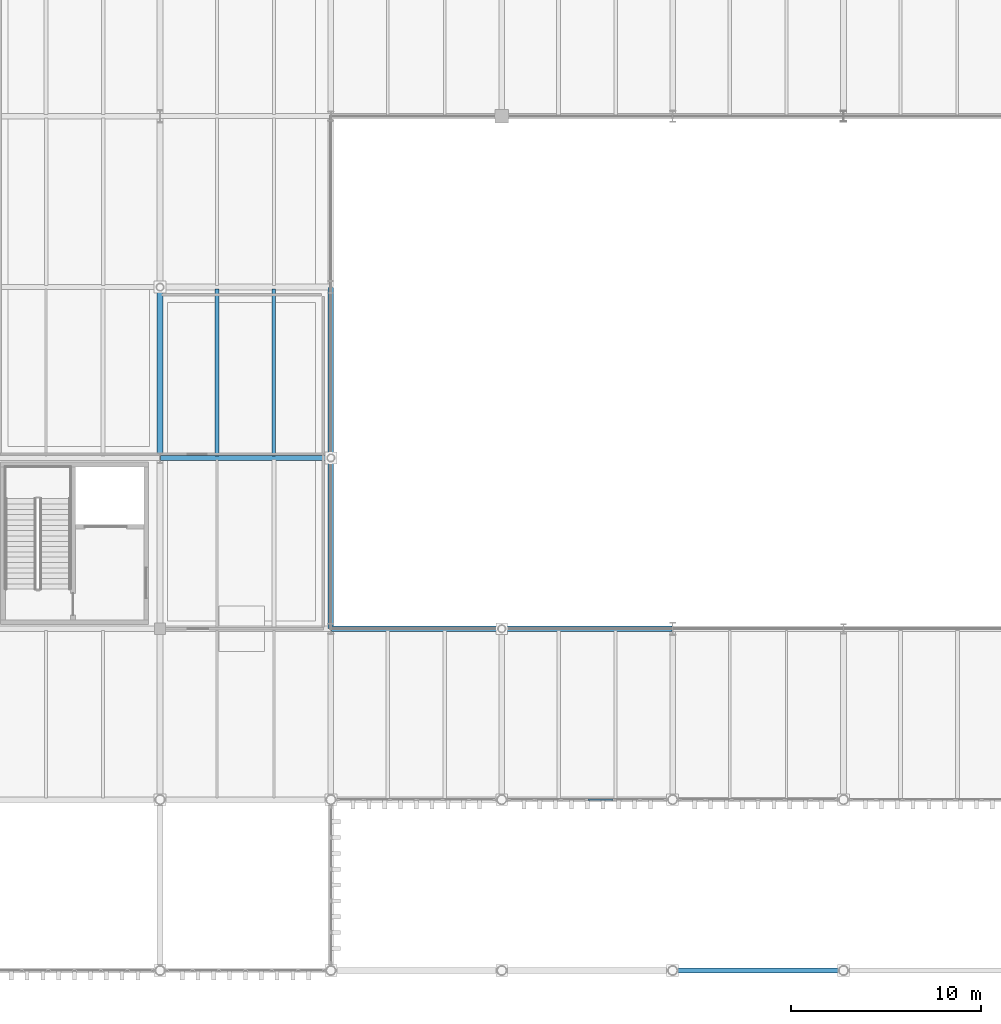
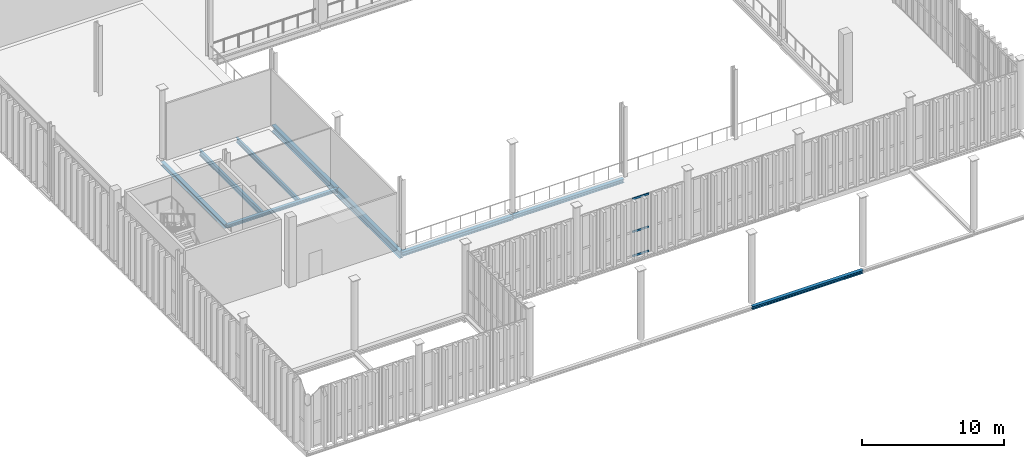
# One storey, part 37 of 211: 9 beams, 3 members, 1 element without a shape of its own.
"""IFC4 building model written with IfcOpenShell, lengths in metres."""

from ifc_helpers import new_model, si_unit, direction, frame, origin, origin_2d, place, context, subcontext, project, spatial, hollow_rectangle, i_section, extrude, material, layer, layer_set, material_profile, profile_set, type_object, element, aggregate, save


model = new_model("IFC4")

# Units and contexts
model_context = context("Model", 3, precision=1e-05, world=origin(), true_north=direction((0.0, 1.0)))
body_context = subcontext(model_context, "Body", "Model", "MODEL_VIEW")
ifc_project = project(units=[si_unit("LENGTHUNIT", "METRE"), si_unit("AREAUNIT", "SQUARE_METRE"), si_unit("VOLUMEUNIT", "CUBIC_METRE"), si_unit("PLANEANGLEUNIT", "RADIAN"), si_unit("MASSUNIT", "GRAM", prefix="KILO")], contexts=[model_context])

# Site, building, storey
site_placement = place(None, origin())
site = spatial("IfcSite", under=ifc_project, at=site_placement, CompositionType="ELEMENT")
building_placement = place(site_placement, origin())
building = spatial("IfcBuilding", under=site, at=building_placement, Name="Barlavento Convention Centre", CompositionType="ELEMENT")
storey_placement = place(building_placement, frame((0.0, 0.0, 6.0)))
storey = spatial("IfcBuildingStorey", under=building, at=storey_placement, Name="L01", CompositionType="ELEMENT", Elevation=6.0)

# Curtain wall, members
ifc_material_1 = material(Name="Powder-coated aluminium and Low-E glass", Category="aluminium")
ifc_layer = layer(ifc_material_1, 0.18505859375)
ifc_layer_set = layer_set([ifc_layer], Name="ARC-CW-CONG-L01")
curtain_wall_type = type_object("IfcCurtainWallType", Name="ARC-CW-CONG-L01", PredefinedType="NOTDEFINED", material=ifc_layer_set)
curtain_wall_placement = place(storey_placement, origin())
curtain_wall = element("IfcCurtainWall", 1, at=curtain_wall_placement, inside=storey, type_object=curtain_wall_type, Name="L01 unitised curtain wall CW01", PredefinedType="NOTDEFINED")
ifc_material_2 = material(Name="Powder-coated aluminium", Category="aluminium")
ifc_material_profile_1 = material_profile(ifc_material_2, hollow_rectangle(XDim=0.06494140625, YDim=0.159912109375, WallThickness=0.0048828125, at=origin_2d()), Name="AL-TRAN 65x160x5")
ifc_profile_set_1 = profile_set([ifc_material_profile_1], Name="Powder-coated aluminium")
member_type = type_object("IfcMemberType", Name="ARC-CWT-65X160", PredefinedType="USERDEFINED", material=ifc_profile_set_1)
member_1_placement = place(storey_placement, frame((31.532470703125, 9.0, 0.032470703125), z_axis=(1.0, 0.0, 0.0), x_axis=(0.0, 1.0, 0.0)))
member_1 = element("IfcMember", 2, at=member_1_placement, type_object=member_type, Name="CW01 transom 4.1", ObjectType="TRANSOM", PredefinedType="USERDEFINED", context=body_context, shape_type="SweptSolid", body=[
    extrude(hollow_rectangle(XDim=0.06494140625, YDim=0.159912109375, WallThickness=0.0048828125, at=origin_2d()), origin(), (0.0, 0.0, 1.0), 1.32373046875),
])
member_2_placement = place(storey_placement, frame((31.532470703125, 9.0, 2.10009765625), z_axis=(1.0, 0.0, 0.0), x_axis=(0.0, 1.0, 0.0)))
member_2 = element("IfcMember", 3, at=member_2_placement, type_object=member_type, Name="CW01 transom 4.2", ObjectType="TRANSOM", PredefinedType="USERDEFINED", context=body_context, shape_type="SweptSolid", body=[
    extrude(hollow_rectangle(XDim=0.06494140625, YDim=0.159912109375, WallThickness=0.0048828125, at=origin_2d()), origin(), (0.0, 0.0, 1.0), 1.32373046875),
])
member_3_placement = place(storey_placement, frame((31.532470703125, 9.0, 4.91748046875), z_axis=(1.0, 0.0, 0.0), x_axis=(0.0, 1.0, 0.0)))
member_3 = element("IfcMember", 4, at=member_3_placement, type_object=member_type, Name="CW01 transom 4.3", ObjectType="TRANSOM", PredefinedType="USERDEFINED", context=body_context, shape_type="SweptSolid", body=[
    extrude(hollow_rectangle(XDim=0.06494140625, YDim=0.159912109375, WallThickness=0.0048828125, at=origin_2d()), origin(), (0.0, 0.0, 1.0), 1.32373046875),
])
aggregate(curtain_wall, [member_1, member_2, member_3])

# Beams
ifc_material_3 = material(Name="Steel S355", Category="steel")
ifc_material_profile_2 = material_profile(ifc_material_3, i_section(OverallWidth=0.179931640625, OverallDepth=0.39990234375, WebThickness=0.008544921875, FlangeThickness=0.013427734375, FilletRadius=0.02099609375, at=origin_2d()), Name="IPE 400")
ifc_profile_set_2 = profile_set([ifc_material_profile_2], Name="Steel S355")
beam_type_1 = type_object("IfcBeamType", Name="STR-BM-JST-IPE400", PredefinedType="JOIST", material=ifc_profile_set_2)
beam_1_placement = place(storey_placement, frame((15.0, 27.094970703125, -0.5), z_axis=(0.0, 1.0, 0.0), x_axis=(-1.0, 0.0, 0.0)))
element("IfcBeam", 5, at=beam_1_placement, inside=storey, type_object=beam_type_1, Name="L01 composite floor joist SJ04", PredefinedType="JOIST", context=body_context, shape_type="SweptSolid", body=[
    extrude(i_section(OverallWidth=0.179931640625, OverallDepth=0.39990234375, WebThickness=0.008544921875, FlangeThickness=0.013427734375, FilletRadius=0.02099609375, at=origin_2d()), origin(), (0.0, 0.0, 1.0), 8.81005859375),
])
ifc_material_profile_3 = material_profile(ifc_material_3, i_section(OverallWidth=0.18994140625, OverallDepth=0.449951171875, WebThickness=0.009521484375, FlangeThickness=0.0146484375, FilletRadius=0.02099609375, at=origin_2d()), Name="IPE 450")
ifc_profile_set_3 = profile_set([ifc_material_profile_3], Name="Steel S355")
beam_type_2 = type_object("IfcBeamType", Name="STR-BM-JST-IPE450", PredefinedType="JOIST", material=ifc_profile_set_3)
beam_2_placement = place(storey_placement, frame((12.0, 27.094970703125, -0.52490234375), z_axis=(0.0, 1.0, 0.0), x_axis=(-1.0, 0.0, 0.0)))
element("IfcBeam", 6, at=beam_2_placement, inside=storey, type_object=beam_type_2, Name="L01 composite floor joist SJ03", PredefinedType="JOIST", context=body_context, shape_type="SweptSolid", body=[
    extrude(i_section(OverallWidth=0.18994140625, OverallDepth=0.449951171875, WebThickness=0.009521484375, FlangeThickness=0.0146484375, FilletRadius=0.02099609375, at=origin_2d()), origin(), (0.0, 0.0, 1.0), 8.81005859375),
])
ifc_material_profile_4 = material_profile(ifc_material_3, i_section(OverallWidth=0.300048828125, OverallDepth=0.330078125, WebThickness=0.009521484375, FlangeThickness=0.0166015625, FilletRadius=0.027099609375, at=origin_2d()), Name="HEA 340")
ifc_profile_set_4 = profile_set([ifc_material_profile_4], Name="Steel S355")
beam_type_3 = type_object("IfcBeamType", Name="STR-BM-PRI-HEA340", PredefinedType="BEAM", material=ifc_profile_set_4)
beam_3_placement = place(storey_placement, frame((9.0, 27.02001953125, -0.465087890625), z_axis=(0.0, 1.0, 0.0), x_axis=(-1.0, 0.0, 0.0)))
element("IfcBeam", 7, at=beam_3_placement, inside=storey, type_object=beam_type_3, Name="L01 grid girder BG24", PredefinedType="BEAM", context=body_context, shape_type="SweptSolid", body=[
    extrude(i_section(OverallWidth=0.300048828125, OverallDepth=0.330078125, WebThickness=0.009521484375, FlangeThickness=0.0166015625, FilletRadius=0.027099609375, at=origin_2d()), origin(), (0.0, 0.0, 1.0), 8.9599609375),
])
ifc_material_profile_5 = material_profile(ifc_material_3, i_section(OverallWidth=0.300048828125, OverallDepth=0.5400390625, WebThickness=0.012451171875, FlangeThickness=0.02392578125, FilletRadius=0.027099609375, at=origin_2d()), Name="HEA 550")
ifc_profile_set_5 = profile_set([ifc_material_profile_5], Name="Steel S355")
beam_type_4 = type_object("IfcBeamType", Name="STR-BM-PRI-HEA550", PredefinedType="BEAM", material=ifc_profile_set_5)
beam_4_placement = place(storey_placement, frame((18.0, 27.02001953125, -0.570068359375), z_axis=(0.0, 1.0, 0.0), x_axis=(-1.0, 0.0, 0.0)))
element("IfcBeam", 8, at=beam_4_placement, inside=storey, type_object=beam_type_4, Name="L01 grid girder BG19", PredefinedType="BEAM", context=body_context, shape_type="SweptSolid", body=[
    extrude(i_section(OverallWidth=0.300048828125, OverallDepth=0.5400390625, WebThickness=0.012451171875, FlangeThickness=0.02392578125, FilletRadius=0.027099609375, at=origin_2d()), origin(), (0.0, 0.0, 1.0), 8.9599609375),
])
ifc_material_profile_6 = material_profile(ifc_material_3, i_section(OverallWidth=0.300048828125, OverallDepth=0.590087890625, WebThickness=0.012939453125, FlangeThickness=0.02490234375, FilletRadius=0.027099609375, at=origin_2d()), Name="HEA 600")
ifc_profile_set_6 = profile_set([ifc_material_profile_6], Name="Steel S355")
beam_type_5 = type_object("IfcBeamType", Name="STR-BM-PRI-HEA600", PredefinedType="BEAM", material=ifc_profile_set_6)
beam_5_placement = place(storey_placement, frame((18.0, 18.02001953125, -0.594970703125), z_axis=(0.0, 1.0, 0.0), x_axis=(-1.0, 0.0, 0.0)))
element("IfcBeam", 9, at=beam_5_placement, inside=storey, type_object=beam_type_5, Name="L01 grid girder BG18", PredefinedType="BEAM", context=body_context, shape_type="SweptSolid", body=[
    extrude(i_section(OverallWidth=0.300048828125, OverallDepth=0.590087890625, WebThickness=0.012939453125, FlangeThickness=0.02490234375, FilletRadius=0.027099609375, at=origin_2d()), origin(), (0.0, 0.0, 1.0), 8.9599609375),
])
ifc_material_profile_7 = material_profile(ifc_material_3, i_section(OverallWidth=0.260009765625, OverallDepth=0.260009765625, WebThickness=0.010009765625, FlangeThickness=0.017578125, FilletRadius=0.02392578125, at=origin_2d()), Name="HEB 260")
ifc_profile_set_7 = profile_set([ifc_material_profile_7], Name="Steel S355")
beam_type_6 = type_object("IfcBeamType", Name="STR-BM-PRI-HEB260", PredefinedType="BEAM", material=ifc_profile_set_7)
beam_6_placement = place(storey_placement, frame((9.02001953125, 27.0, -0.429931640625), z_axis=(1.0, 0.0, 0.0), x_axis=(0.0, 1.0, 0.0)))
element("IfcBeam", 10, at=beam_6_placement, inside=storey, type_object=beam_type_6, Name="L01 primary girder BG16", PredefinedType="BEAM", context=body_context, shape_type="SweptSolid", body=[
    extrude(i_section(OverallWidth=0.260009765625, OverallDepth=0.260009765625, WebThickness=0.010009765625, FlangeThickness=0.017578125, FilletRadius=0.02392578125, at=origin_2d()), origin(), (0.0, 0.0, 1.0), 8.9599609375),
])
ifc_material_profile_8 = material_profile(ifc_material_3, i_section(OverallWidth=0.300048828125, OverallDepth=0.320068359375, WebThickness=0.011474609375, FlangeThickness=0.0205078125, FilletRadius=0.027099609375, at=origin_2d()), Name="HEB 320")
ifc_profile_set_8 = profile_set([ifc_material_profile_8], Name="Steel S355")
beam_type_7 = type_object("IfcBeamType", Name="STR-BM-PRI-HEB320", PredefinedType="BEAM", material=ifc_profile_set_8)
beam_7_placement = place(storey_placement, frame((27.02001953125, 18.0, -0.4599609375), z_axis=(1.0, 0.0, 0.0), x_axis=(0.0, 1.0, 0.0)))
element("IfcBeam", 11, at=beam_7_placement, inside=storey, type_object=beam_type_7, Name="L01 primary girder BG13", PredefinedType="BEAM", context=body_context, shape_type="SweptSolid", body=[
    extrude(i_section(OverallWidth=0.300048828125, OverallDepth=0.320068359375, WebThickness=0.011474609375, FlangeThickness=0.0205078125, FilletRadius=0.027099609375, at=origin_2d()), origin(), (0.0, 0.0, 1.0), 8.9599609375),
])
ifc_material_profile_9 = material_profile(ifc_material_3, i_section(OverallWidth=0.300048828125, OverallDepth=0.360107421875, WebThickness=0.012451171875, FlangeThickness=0.0224609375, FilletRadius=0.027099609375, at=origin_2d()), Name="HEB 360")
ifc_profile_set_9 = profile_set([ifc_material_profile_9], Name="Steel S355")
beam_type_8 = type_object("IfcBeamType", Name="STR-BM-PRI-HEB360", PredefinedType="BEAM", material=ifc_profile_set_9)
beam_8_placement = place(storey_placement, frame((18.02001953125, 18.0, -0.47998046875), z_axis=(1.0, 0.0, 0.0), x_axis=(0.0, 1.0, 0.0)))
element("IfcBeam", 12, at=beam_8_placement, inside=storey, type_object=beam_type_8, Name="L01 primary girder BG12", PredefinedType="BEAM", context=body_context, shape_type="SweptSolid", body=[
    extrude(i_section(OverallWidth=0.300048828125, OverallDepth=0.360107421875, WebThickness=0.012451171875, FlangeThickness=0.0224609375, FilletRadius=0.027099609375, at=origin_2d()), origin(), (0.0, 0.0, 1.0), 8.9599609375),
])
ifc_material_profile_10 = material_profile(ifc_material_3, i_section(OverallWidth=0.280029296875, OverallDepth=0.27001953125, WebThickness=0.008056640625, FlangeThickness=0.012939453125, FilletRadius=0.02392578125, at=origin_2d()), Name="HEA 280")
ifc_profile_set_10 = profile_set([ifc_material_profile_10], Name="Steel S355")
beam_type_9 = type_object("IfcBeamType", Name="STR-BM-SPN-HEA280", PredefinedType="SPANDREL", material=ifc_profile_set_10)
beam_9_placement = place(storey_placement, frame((36.02001953125, 0.0, -0.4951171875), z_axis=(1.0, 0.0, 0.0), x_axis=(0.0, 1.0, 0.0)))
element("IfcBeam", 13, at=beam_9_placement, inside=storey, type_object=beam_type_9, Name="L01 primary girder SP03", PredefinedType="SPANDREL", context=body_context, shape_type="SweptSolid", body=[
    extrude(i_section(OverallWidth=0.280029296875, OverallDepth=0.27001953125, WebThickness=0.008056640625, FlangeThickness=0.012939453125, FilletRadius=0.02392578125, at=origin_2d()), origin(), (0.0, 0.0, 1.0), 8.9599609375),
])

save(model, "model.ifc")
